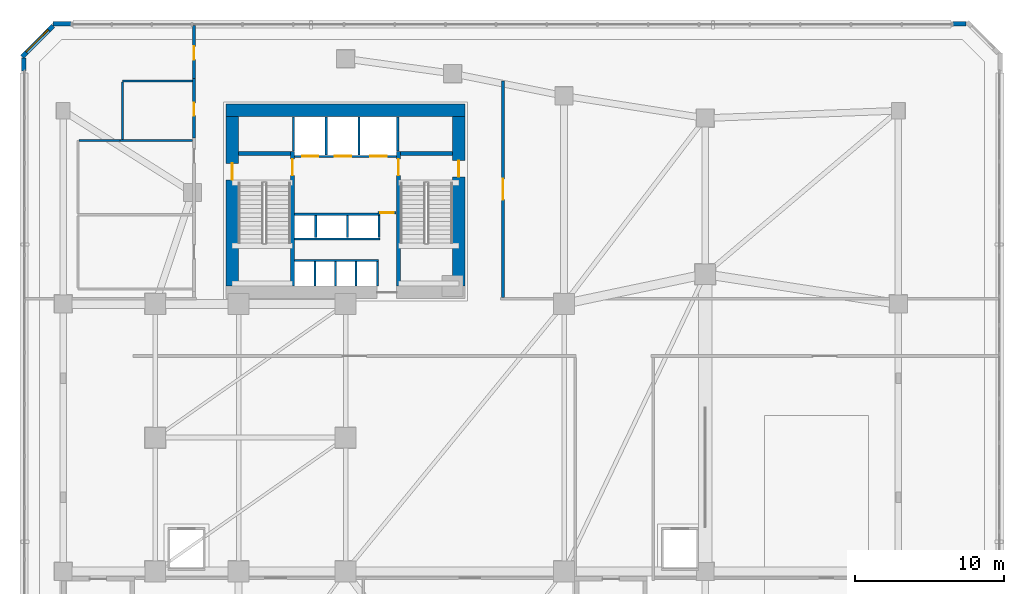
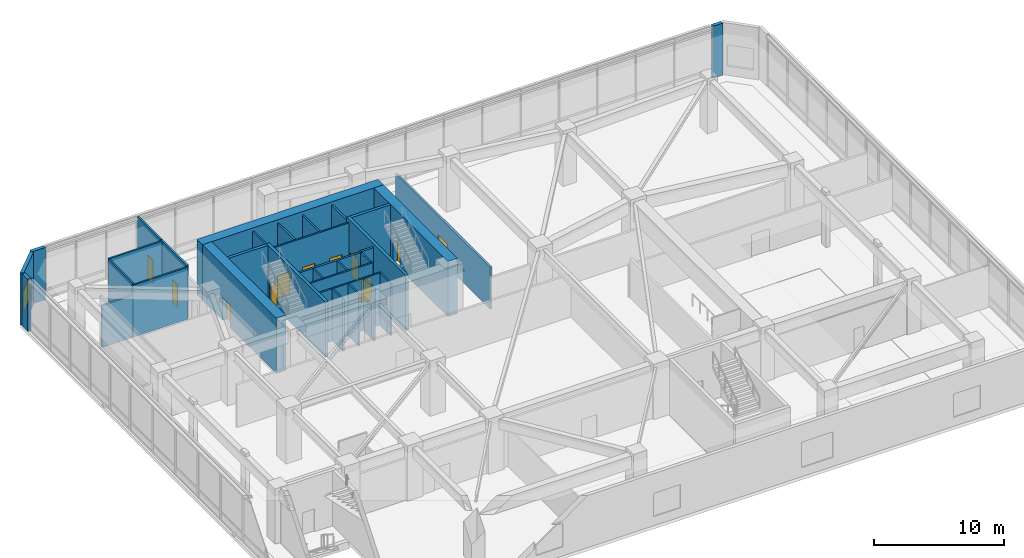
# One storey, part 11 of 18: 34 walls, 11 doors, 1 window, 12 openings.
"""IFC4 building model written with IfcOpenShell, lengths in metres."""

from ifc_helpers import new_model, si_unit, direction, frame, frame_2d, origin, place, context, subcontext, project, spatial, rectangle, extrude, source, transform, mapped, material, layer, layer_set, type_object, element, fill, save


model = new_model("IFC4")

# Units and contexts
model_context = context("Model", 3, precision=1e-05, world=origin(), true_north=direction((0.0, 1.0)))
body_context = subcontext(model_context, "Body", "Model", "MODEL_VIEW")
ifc_project = project(units=[si_unit("LENGTHUNIT", "METRE"), si_unit("AREAUNIT", "SQUARE_METRE"), si_unit("VOLUMEUNIT", "CUBIC_METRE"), si_unit("PLANEANGLEUNIT", "RADIAN"), si_unit("MASSUNIT", "GRAM", prefix="KILO")], contexts=[model_context])

# Site, building, storey
site_placement = place(None, origin())
site = spatial("IfcSite", under=ifc_project, at=site_placement, CompositionType="ELEMENT")
building_placement = place(site_placement, origin())
building = spatial("IfcBuilding", under=site, at=building_placement, Name="Calvemar Wedge Station Tower", CompositionType="ELEMENT")
storey_placement = place(building_placement, frame((0.0, 0.0, 11.199951171875)))
storey = spatial("IfcBuildingStorey", under=building, at=storey_placement, Name="L03", CompositionType="ELEMENT", Elevation=11.199951171875)

# Wall, opening, door
ifc_material_1 = material(Name="Concrete C50", Category="concrete")
ifc_layer_1 = layer(ifc_material_1, 0.260009765625)
ifc_layer_set_1 = layer_set([ifc_layer_1], Name="Concrete C50")
wall_type_1 = type_object("IfcWallType", Name="SW-CORE-260", PredefinedType="SHEAR", material=ifc_layer_set_1)
wall_1_placement = place(storey_placement, frame((20.22998046875, 34.199951171875, 0.0), z_axis=(0.0, 0.0, 1.0), x_axis=(0.0, 1.0, 0.0)))
wall_1 = element("IfcWall", 1, at=wall_1_placement, inside=storey, type_object=wall_type_1, Name="Storey L03 Core Shear Wall SPINE-W", PredefinedType="SHEAR", context=body_context, shape_type="SweptSolid", body=[
    extrude(rectangle(XDim=9.06005859375, YDim=0.260009765625, at=frame_2d((4.530029296875, 0.0))), origin(), (0.0, 0.0, 1.0), 5.199951171875),
])
shared_shape_1 = source(origin(), body_context, "Body", "SweptSolid", [
    extrude(rectangle(XDim=1.10009765625, YDim=2.14990234375, at=frame_2d((0.550048828125, 1.074951171875))), frame((0.0, 0.14013671875, 0.0), z_axis=(0.0, -1.0, 0.0), x_axis=(1.0, 0.0, 0.0)), (0.0, 0.0, 1.0), 0.280029296875),
])
opening_1_placement = place(wall_1_placement, frame((7.449951171875, 0.0, 0.0)))
opening_1 = element("IfcOpeningElement", 2, at=opening_1_placement, cuts=wall_1, Name="Opening FD-90", PredefinedType="OPENING", context=body_context, shape_type="MappedRepresentation", body=[
    mapped(shared_shape_1, transform((0.0, 0.0, 0.0), scale=1.0)),
])
ifc_material_2 = material(Name="Galvanized fire-rated steel door leaf P-90", Category="steel")
door_type_1 = type_object("IfcDoorType", Name="DR-FD90-1100", OperationType="NOTDEFINED", PredefinedType="DOOR", material=ifc_material_2)
shared_shape_2 = source(origin(), body_context, "Body", "SweptSolid", [
    extrude(rectangle(XDim=1.10009765625, YDim=2.14990234375, at=frame_2d((0.550048828125, 1.074951171875))), frame((0.0, 0.02490234375, 0.0), z_axis=(0.0, -1.0, 0.0), x_axis=(1.0, 0.0, 0.0)), (0.0, 0.0, 1.0), 0.050048828125),
])
door_1_placement = place(opening_1_placement, origin())
door_1 = element("IfcDoor", 3, at=door_1_placement, inside=storey, type_object=door_type_1, Name="L03 FF Lobby to Stair ST-C1 Door", OperationType="SINGLE_SWING_LEFT", OverallHeight=2.14990234375, OverallWidth=1.10009765625, PredefinedType="DOOR", context=body_context, shape_type="MappedRepresentation", body=[
    mapped(shared_shape_2, transform((0.0, 0.0, 0.0), scale=1.0)),
])
fill(opening_1, door_1)

wall_2_placement = place(storey_placement, frame((27.3701171875, 34.199951171875, 0.0), z_axis=(0.0, 0.0, 1.0), x_axis=(0.0, 1.0, 0.0)))
wall_2 = element("IfcWall", 4, at=wall_2_placement, inside=storey, type_object=wall_type_1, Name="Storey L03 Core Shear Wall SPINE-E", PredefinedType="SHEAR", context=body_context, shape_type="SweptSolid", body=[
    extrude(rectangle(XDim=9.06005859375, YDim=0.260009765625, at=frame_2d((4.530029296875, 0.0))), origin(), (0.0, 0.0, 1.0), 5.199951171875),
])
opening_2_placement = place(wall_2_placement, frame((7.449951171875, 0.0, 0.0)))
opening_2 = element("IfcOpeningElement", 5, at=opening_2_placement, cuts=wall_2, Name="Opening FD-90", PredefinedType="OPENING", context=body_context, shape_type="MappedRepresentation", body=[
    mapped(shared_shape_1, transform((0.0, 0.0, 0.0), scale=1.0)),
])
door_2_placement = place(opening_2_placement, origin())
door_2 = element("IfcDoor", 6, at=door_2_placement, inside=storey, type_object=door_type_1, Name="L03 FF Lobby to Stair ST-C2 Door", OperationType="SINGLE_SWING_RIGHT", OverallHeight=2.14990234375, OverallWidth=1.10009765625, PredefinedType="DOOR", context=body_context, shape_type="MappedRepresentation", body=[
    mapped(shared_shape_2, transform((0.0, 0.0, 0.0), scale=1.0)),
])
fill(opening_2, door_2)

# Walls
for number, where, z_axis, x_axis, name in (
    (7, (16.60009765625, 43.1298828125, 0.0), (0.0, 0.0, 1.0), (1.0, 0.0, 0.0), "Storey L03 Core Shear Wall STC1-N"),
    (8, (27.5, 43.1298828125, 0.0), (0.0, 0.0, 1.0), (1.0, 0.0, 0.0), "Storey L03 Core Shear Wall STC2-N"),
):
    element("IfcWall", number, at=place(storey_placement, frame(where, z_axis=z_axis, x_axis=x_axis)), inside=storey, type_object=wall_type_1, Name=name, PredefinedType="SHEAR", context=body_context, shape_type="SweptSolid", body=[
        extrude(rectangle(XDim=3.5, YDim=0.260009765625, at=frame_2d((1.75, 0.0))), origin(), (0.0, 0.0, 1.0), 5.199951171875),
    ])
ifc_material_3 = material(Name="Concrete C80", Category="concrete")
ifc_layer_2 = layer(ifc_material_3, 0.85009765625)
ifc_layer_set_2 = layer_set([ifc_layer_2], Name="Concrete C80")
wall_type_2 = type_object("IfcWallType", Name="SW-CORE-850", PredefinedType="SHEAR", material=ifc_layer_set_2)
wall_3_placement = place(storey_placement, frame((15.75, 46.02490234375, 0.0), z_axis=(0.0, 0.0, 1.0), x_axis=(1.0, 0.0, 0.0)))
element("IfcWall", 9, at=wall_3_placement, inside=storey, type_object=wall_type_2, Name="Storey L03 Core Shear Wall N", PredefinedType="SHEAR", context=body_context, shape_type="SweptSolid", body=[
    extrude(rectangle(XDim=16.10009765625, YDim=0.85009765625, at=frame_2d((8.050048828125, 0.0))), origin(), (0.0, 0.0, 1.0), 5.199951171875),
])

# Wall, opening, door
wall_4_placement = place(storey_placement, frame((16.175048828125, 34.199951171875, 0.0), z_axis=(0.0, 0.0, 1.0), x_axis=(0.0, 1.0, 0.0)))
wall_4 = element("IfcWall", 10, at=wall_4_placement, inside=storey, type_object=wall_type_2, Name="Storey L03 Core Shear Wall W", PredefinedType="SHEAR", context=body_context, shape_type="SweptSolid", body=[
    extrude(rectangle(XDim=11.400146484375, YDim=0.85009765625, at=frame_2d((5.7001953125, 0.0))), origin(), (0.0, 0.0, 1.0), 5.199951171875),
])
shared_shape_3 = source(origin(), body_context, "Body", "SweptSolid", [
    extrude(rectangle(XDim=1.10009765625, YDim=2.14990234375, at=frame_2d((0.550048828125, 1.074951171875))), frame((0.0, 0.43505859375, 0.0), z_axis=(0.0, -1.0, 0.0), x_axis=(1.0, 0.0, 0.0)), (0.0, 0.0, 1.0), 0.8701171875),
])
opening_3_placement = place(wall_4_placement, frame((7.14990234375, 0.0, 0.0)))
opening_3 = element("IfcOpeningElement", 11, at=opening_3_placement, cuts=wall_4, Name="Opening FD-90", PredefinedType="OPENING", context=body_context, shape_type="MappedRepresentation", body=[
    mapped(shared_shape_3, transform((0.0, 0.0, 0.0), scale=1.0)),
])
door_3_placement = place(opening_3_placement, origin())
door_3 = element("IfcDoor", 12, at=door_3_placement, inside=storey, type_object=door_type_1, Name="L03 West Corridor to Exit Stair ST-C1 Door", OperationType="SINGLE_SWING_LEFT", OverallHeight=2.14990234375, OverallWidth=1.10009765625, PredefinedType="DOOR", context=body_context, shape_type="MappedRepresentation", body=[
    mapped(shared_shape_2, transform((0.0, 0.0, 0.0), scale=1.0)),
])
fill(opening_3, door_3)

wall_5_placement = place(storey_placement, frame((31.425048828125, 34.199951171875, 0.0), z_axis=(0.0, 0.0, 1.0), x_axis=(0.0, 1.0, 0.0)))
wall_5 = element("IfcWall", 13, at=wall_5_placement, inside=storey, type_object=wall_type_2, Name="Storey L03 Core Shear Wall E", PredefinedType="SHEAR", context=body_context, shape_type="SweptSolid", body=[
    extrude(rectangle(XDim=11.400146484375, YDim=0.85009765625, at=frame_2d((5.7001953125, 0.0))), origin(), (0.0, 0.0, 1.0), 5.199951171875),
])
opening_4_placement = place(wall_5_placement, frame((7.35009765625, 0.0, 0.0)))
opening_4 = element("IfcOpeningElement", 14, at=opening_4_placement, cuts=wall_5, Name="Opening FD-90", PredefinedType="OPENING", context=body_context, shape_type="MappedRepresentation", body=[
    mapped(shared_shape_3, transform((0.0, 0.0, 0.0), scale=1.0)),
])
door_4_placement = place(opening_4_placement, origin())
door_4 = element("IfcDoor", 15, at=door_4_placement, inside=storey, type_object=door_type_1, Name="L03 East Corridor to Exit Stair ST-C2 Door", OperationType="SINGLE_SWING_RIGHT", OverallHeight=2.14990234375, OverallWidth=1.10009765625, PredefinedType="DOOR", context=body_context, shape_type="MappedRepresentation", body=[
    mapped(shared_shape_2, transform((0.0, 0.0, 0.0), scale=1.0)),
])
fill(opening_4, door_4)

ifc_material_4 = material(Name="Double-stud fire-rated corridor partition")
ifc_layer_3 = layer(ifc_material_4, 0.179931640625)
ifc_layer_set_3 = layer_set([ifc_layer_3], Name="Double-stud fire-rated corridor partition")
wall_type_3 = type_object("IfcWallType", Name="W-CORR-180", PredefinedType="PARTITIONING", material=ifc_layer_set_3)
wall_6_placement = place(storey_placement, frame((27.199951171875, 39.1298828125, 0.0), z_axis=(0.0, 0.0, 1.0), x_axis=(-1.0, 0.0, 0.0)))
wall_6 = element("IfcWall", 16, at=wall_6_placement, inside=storey, type_object=wall_type_3, Name="Storey L03 Interior Partition WL-L03-001", PredefinedType="PARTITIONING", context=body_context, shape_type="SweptSolid", body=[
    extrude(rectangle(XDim=1.2099609375, YDim=0.179931640625, at=frame_2d((0.60498046875, 0.0))), origin(), (0.0, 0.0, 1.0), 4.900146484375),
])
shared_shape_4 = source(origin(), body_context, "Body", "SweptSolid", [
    extrude(rectangle(XDim=0.89990234375, YDim=2.14990234375, at=frame_2d((0.449951171875, 1.074951171875))), frame((0.0, 0.10009765625, 0.0), z_axis=(0.0, -1.0, 0.0), x_axis=(1.0, 0.0, 0.0)), (0.0, 0.0, 1.0), 0.199951171875),
])
opening_5_placement = place(wall_6_placement, frame((0.155029296875, 0.0, 0.0)))
opening_5 = element("IfcOpeningElement", 17, at=opening_5_placement, cuts=wall_6, Name="Opening FD-60", PredefinedType="OPENING", context=body_context, shape_type="MappedRepresentation", body=[
    mapped(shared_shape_4, transform((0.0, 0.0, 0.0), scale=1.0)),
])
ifc_material_5 = material(Name="Fire-rated acoustic timber-core entrance door EI 60", Category="wood")
door_type_2 = type_object("IfcDoorType", Name="DR-FD60-900", OperationType="NOTDEFINED", PredefinedType="DOOR", material=ifc_material_5)
shared_shape_5 = source(origin(), body_context, "Body", "SweptSolid", [
    extrude(rectangle(XDim=0.89990234375, YDim=2.14990234375, at=frame_2d((0.449951171875, 1.074951171875))), frame((0.0, 0.02490234375, 0.0), z_axis=(0.0, -1.0, 0.0), x_axis=(1.0, 0.0, 0.0)), (0.0, 0.0, 1.0), 0.050048828125),
])
door_5_placement = place(opening_5_placement, origin())
door_5 = element("IfcDoor", 18, at=door_5_placement, inside=storey, type_object=door_type_2, Name="L03 Core Service Lobby Door", OperationType="SINGLE_SWING_LEFT", OverallHeight=2.14990234375, OverallWidth=0.89990234375, PredefinedType="DOOR", context=body_context, shape_type="MappedRepresentation", body=[
    mapped(shared_shape_5, transform((0.0, 0.0, 0.0), scale=1.0)),
])
fill(opening_5, door_5)

wall_7_placement = place(storey_placement, frame((13.60009765625, 44.162109375, 0.0), z_axis=(0.0, 0.0, 1.0), x_axis=(0.0, 1.0, 0.0)))
wall_7 = element("IfcWall", 19, at=wall_7_placement, inside=storey, type_object=wall_type_3, Name="Storey L03 Interior Partition WL-L03-010", PredefinedType="PARTITIONING", context=body_context, shape_type="SweptSolid", body=[
    extrude(rectangle(XDim=3.997802734375, YDim=0.179931640625, at=frame_2d((1.9990234375, 0.0))), origin(), (0.0, 0.0, 1.0), 4.900146484375),
])
shared_shape_6 = source(origin(), body_context, "Body", "SweptSolid", [
    extrude(rectangle(XDim=0.85009765625, YDim=2.14990234375, at=frame_2d((0.425048828125, 1.074951171875))), frame((0.0, 0.10009765625, 0.0), z_axis=(0.0, -1.0, 0.0), x_axis=(1.0, 0.0, 0.0)), (0.0, 0.0, 1.0), 0.199951171875),
])
opening_6_placement = place(wall_7_placement, frame((1.512451171875, 0.0, 0.0)))
opening_6 = element("IfcOpeningElement", 20, at=opening_6_placement, cuts=wall_7, Name="Opening D-02", PredefinedType="OPENING", context=body_context, shape_type="MappedRepresentation", body=[
    mapped(shared_shape_6, transform((0.0, 0.0, 0.0), scale=1.0)),
])
ifc_material_6 = material(Name="Moisture-sealed bathroom hardwood swing door", Category="wood")
door_type_3 = type_object("IfcDoorType", Name="DR-WET-850", OperationType="NOTDEFINED", PredefinedType="DOOR", material=ifc_material_6)
shared_shape_7 = source(origin(), body_context, "Body", "SweptSolid", [
    extrude(rectangle(XDim=0.85009765625, YDim=2.14990234375, at=frame_2d((0.425048828125, 1.074951171875))), frame((0.0, 0.02490234375, 0.0), z_axis=(0.0, -1.0, 0.0), x_axis=(1.0, 0.0, 0.0)), (0.0, 0.0, 1.0), 0.050048828125),
])
door_6_placement = place(opening_6_placement, origin())
door_6 = element("IfcDoor", 21, at=door_6_placement, inside=storey, type_object=door_type_3, Name="L03 Accessible WC Door", OperationType="SINGLE_SWING_RIGHT", OverallHeight=2.14990234375, OverallWidth=0.85009765625, PredefinedType="DOOR", context=body_context, shape_type="MappedRepresentation", body=[
    mapped(shared_shape_7, transform((0.0, 0.0, 0.0), scale=1.0)),
])
fill(opening_6, door_6)

wall_8_placement = place(storey_placement, frame((13.60009765625, 48.162109375, 0.0), z_axis=(0.0, 0.0, 1.0), x_axis=(0.0, 1.0, 0.0)))
wall_8 = element("IfcWall", 22, at=wall_8_placement, inside=storey, type_object=wall_type_3, Name="Storey L03 Interior Partition WL-L03-011", PredefinedType="PARTITIONING", context=body_context, shape_type="SweptSolid", body=[
    extrude(rectangle(XDim=3.572998046875, YDim=0.179931640625, at=frame_2d((1.78662109375, 0.0))), origin(), (0.0, 0.0, 1.0), 4.900146484375),
])
opening_7_placement = place(wall_8_placement, frame((1.2744140625, 0.0, 0.0)))
opening_7 = element("IfcOpeningElement", 23, at=opening_7_placement, cuts=wall_8, Name="Opening FD-60", PredefinedType="OPENING", context=body_context, shape_type="MappedRepresentation", body=[
    mapped(shared_shape_4, transform((0.0, 0.0, 0.0), scale=1.0)),
])
door_7_placement = place(opening_7_placement, origin())
door_7 = element("IfcDoor", 24, at=door_7_placement, inside=storey, type_object=door_type_2, Name="L03 L03 Podium Storage Room Door", OperationType="SINGLE_SWING_LEFT", OverallHeight=2.14990234375, OverallWidth=0.89990234375, PredefinedType="DOOR", context=body_context, shape_type="MappedRepresentation", body=[
    mapped(shared_shape_5, transform((0.0, 0.0, 0.0), scale=1.0)),
])
fill(opening_7, door_7)

wall_9_placement = place(storey_placement, frame((34.39990234375, 48.0, 0.0), z_axis=(0.0, 0.0, 1.0), x_axis=(0.0, -1.0, 0.0)))
wall_9 = element("IfcWall", 25, at=wall_9_placement, inside=storey, type_object=wall_type_3, Name="Storey L03 Interior Partition WL-L03-013", PredefinedType="PARTITIONING", context=body_context, shape_type="SweptSolid", body=[
    extrude(rectangle(XDim=14.555908203125, YDim=0.179931640625, at=frame_2d((7.27783203125, 0.0))), origin(), (0.0, 0.0, 1.0), 3.942138671875),
])
shared_shape_8 = source(origin(), body_context, "Body", "SweptSolid", [
    extrude(rectangle(XDim=1.39990234375, YDim=2.14990234375, at=frame_2d((0.699951171875, 1.074951171875))), frame((0.0, 0.10009765625, 0.0), z_axis=(0.0, -1.0, 0.0), x_axis=(1.0, 0.0, 0.0)), (0.0, 0.0, 1.0), 0.199951171875),
])
opening_8_placement = place(wall_9_placement, frame((6.577880859375, 0.0, 0.0)))
opening_8 = element("IfcOpeningElement", 26, at=opening_8_placement, cuts=wall_9, Name="Opening DD-140", PredefinedType="OPENING", context=body_context, shape_type="MappedRepresentation", body=[
    mapped(shared_shape_8, transform((0.0, 0.0, 0.0), scale=1.0)),
])
ifc_material_7 = material(Name="Double-leaf corridor acoustic fire door EI 60")
door_type_4 = type_object("IfcDoorType", Name="DR-DBL-1400", OperationType="DOUBLE_DOOR_SINGLE_SWING", PredefinedType="DOOR", material=ifc_material_7)
shared_shape_9 = source(origin(), body_context, "Body", "SweptSolid", [
    extrude(rectangle(XDim=1.39990234375, YDim=2.14990234375, at=frame_2d((0.699951171875, 1.074951171875))), frame((0.0, 0.02490234375, 0.0), z_axis=(0.0, -1.0, 0.0), x_axis=(1.0, 0.0, 0.0)), (0.0, 0.0, 1.0), 0.050048828125),
])
door_8_placement = place(opening_8_placement, origin())
door_8 = element("IfcDoor", 27, at=door_8_placement, inside=storey, type_object=door_type_4, Name="L03 Pre-Function Banquet Gallery Door", OperationType="SINGLE_SWING_LEFT", OverallHeight=2.14990234375, OverallWidth=1.39990234375, PredefinedType="DOOR", context=body_context, shape_type="MappedRepresentation", body=[
    mapped(shared_shape_9, transform((0.0, 0.0, 0.0), scale=1.0)),
])
fill(opening_8, door_8)

# Walls
ifc_material_8 = material(Name="Precast concrete C45", Category="concrete")
ifc_layer_4 = layer(ifc_material_8, 0.300048828125)
ifc_layer_set_4 = layer_set([ifc_layer_4], Name="Precast concrete C45")
wall_type_4 = type_object("IfcWallType", Name="W-EXT-GFRC-300", PredefinedType="SOLIDWALL", material=ifc_layer_set_4)
wall_10_placement = place(storey_placement, frame((65.542724609375, 51.85009765625, 0.0), z_axis=(0.0, 0.0, 1.0), x_axis=(-1.0, 0.0, 0.0)))
element("IfcWall", 28, at=wall_10_placement, inside=storey, type_object=wall_type_4, Name="Storey L03 Bronze GFRC Corner Pier 4A", PredefinedType="SOLIDWALL", context=body_context, shape_type="SweptSolid", body=[
    extrude(rectangle(XDim=0.87744140625, YDim=0.300048828125, at=frame_2d((0.438720703125, 0.0))), origin(), (0.0, 0.0, 1.0), 4.900146484375),
])
wall_11_placement = place(storey_placement, frame((5.334716796875, 51.85009765625, 0.0), z_axis=(0.0, 0.0, 1.0), x_axis=(-1.0, 0.0, 0.0)))
element("IfcWall", 29, at=wall_11_placement, inside=storey, type_object=wall_type_4, Name="Storey L03 Bronze GFRC Corner Pier 4B", PredefinedType="SOLIDWALL", context=body_context, shape_type="SweptSolid", body=[
    extrude(rectangle(XDim=1.22265625, YDim=0.300048828125, at=frame_2d((0.611328125, 0.0))), origin(), (0.0, 0.0, 1.0), 4.900146484375),
])

# Wall, opening, window
wall_12_placement = place(storey_placement, frame((4.1240234375, 51.7119140625, 0.0), z_axis=(0.0, 0.0, 1.0), x_axis=(-0.707106781187, -0.707106781187, 0.0)))
wall_12 = element("IfcWall", 30, at=wall_12_placement, inside=storey, type_object=wall_type_4, Name="Storey L03 Bronze GFRC Exterior Wall 5", PredefinedType="SOLIDWALL", context=body_context, shape_type="SweptSolid", body=[
    extrude(rectangle(XDim=2.941650390625, YDim=0.300048828125, at=frame_2d((1.470703125, 0.0))), origin(), (0.0, 0.0, 1.0), 4.900146484375),
])
shared_shape_10 = source(origin(), body_context, "Body", "SweptSolid", [
    extrude(rectangle(XDim=2.10009765625, YDim=2.0, at=frame_2d((1.050048828125, 1.0))), frame((0.0, 0.16015625, 0.0), z_axis=(0.0, -1.0, 0.0), x_axis=(1.0, 0.0, 0.0)), (0.0, 0.0, 1.0), 0.320068359375),
])
opening_9_placement = place(wall_12_placement, frame((0.4208984375, 0.0, 0.85009765625)))
opening_9 = element("IfcOpeningElement", 31, at=opening_9_placement, cuts=wall_12, Name="Opening W4", PredefinedType="OPENING", context=body_context, shape_type="MappedRepresentation", body=[
    mapped(shared_shape_10, transform((0.0, 0.0, 0.0), scale=1.0)),
])
ifc_material_9 = material(Name="Low-E laminated insulated glass", Category="glass")
window_type = type_object("IfcWindowType", Name="WIN-EXT-4", PartitioningType="SINGLE_PANEL", PredefinedType="WINDOW", material=ifc_material_9)
shared_shape_11 = source(origin(), body_context, "Body", "SweptSolid", [
    extrude(rectangle(XDim=2.10009765625, YDim=2.0, at=frame_2d((1.050048828125, 1.0))), frame((0.0, -0.014892578125, 0.0), z_axis=(0.0, -1.0, 0.0), x_axis=(1.0, 0.0, 0.0)), (0.0, 0.0, 1.0), 0.06005859375),
])
window_placement = place(opening_9_placement, origin())
window = element("IfcWindow", 32, at=window_placement, inside=storey, type_object=window_type, Name="Storey L03 Recessed Window 5.1", OverallHeight=2.0, OverallWidth=2.10009765625, PartitioningType="SINGLE_PANEL", PredefinedType="WINDOW", context=body_context, shape_type="MappedRepresentation", body=[
    mapped(shared_shape_11, transform((0.0, 0.0, 0.0), scale=1.0)),
])
fill(opening_9, window)

# Wall
wall_13_placement = place(storey_placement, frame((2.14990234375, 49.542724609375, 0.0), z_axis=(0.0, 0.0, 1.0), x_axis=(0.0, -1.0, 0.0)))
element("IfcWall", 33, at=wall_13_placement, inside=storey, type_object=wall_type_4, Name="Storey L03 Bronze GFRC Corner Pier 6A", PredefinedType="SOLIDWALL", context=body_context, shape_type="SweptSolid", body=[
    extrude(rectangle(XDim=0.87744140625, YDim=0.300048828125, at=frame_2d((0.438720703125, 0.0))), origin(), (0.0, 0.0, 1.0), 4.900146484375),
])

# Wall, openings, doors
ifc_material_10 = material(Name="Reinforced concrete blockwork lift shaft wall", Category="masonry")
ifc_layer_5 = layer(ifc_material_10, 0.139892578125)
ifc_layer_set_5 = layer_set([ifc_layer_5], Name="Reinforced concrete blockwork lift shaft wall")
wall_type_5 = type_object("IfcWallType", Name="W-LIFT-160", PredefinedType="SOLIDWALL", material=ifc_layer_set_5)
wall_14_placement = place(storey_placement, frame((20.3701171875, 42.929931640625, 0.0), z_axis=(0.0, 0.0, 1.0), x_axis=(1.0, 0.0, 0.0)))
wall_14 = element("IfcWall", 34, at=wall_14_placement, inside=storey, type_object=wall_type_5, Name="Storey L03 Firefighting and Service Lift Shaft Front Wall", PredefinedType="SOLIDWALL", context=body_context, shape_type="SweptSolid", body=[
    extrude(rectangle(XDim=6.85986328125, YDim=0.139892578125, at=frame_2d((3.429931640625, 0.0))), origin(), (0.0, 0.0, 1.0), 4.900146484375),
])
shared_shape_12 = source(origin(), body_context, "Body", "SweptSolid", [
    extrude(rectangle(XDim=1.10009765625, YDim=2.14990234375, at=frame_2d((0.550048828125, 1.074951171875))), frame((0.0, 0.080078125, 0.0), z_axis=(0.0, -1.0, 0.0), x_axis=(1.0, 0.0, 0.0)), (0.0, 0.0, 1.0), 0.159912109375),
])
opening_10_placement = place(wall_14_placement, frame((0.5, 0.0, 0.0)))
opening_10 = element("IfcOpeningElement", 35, at=opening_10_placement, cuts=wall_14, Name="Opening LD-FF", PredefinedType="OPENING", context=body_context, shape_type="MappedRepresentation", body=[
    mapped(shared_shape_12, transform((0.0, 0.0, 0.0), scale=1.0)),
])
opening_11_placement = place(wall_14_placement, frame((2.699951171875, 0.0, 0.0)))
opening_11 = element("IfcOpeningElement", 36, at=opening_11_placement, cuts=wall_14, Name="Opening LD-FF", PredefinedType="OPENING", context=body_context, shape_type="MappedRepresentation", body=[
    mapped(shared_shape_12, transform((0.0, 0.0, 0.0), scale=1.0)),
])
opening_12_placement = place(wall_14_placement, frame((5.10009765625, 0.0, 0.0)))
opening_12 = element("IfcOpeningElement", 37, at=opening_12_placement, cuts=wall_14, Name="Opening LD-STN", PredefinedType="OPENING", context=body_context, shape_type="MappedRepresentation", body=[
    mapped(shared_shape_12, transform((0.0, 0.0, 0.0), scale=1.0)),
])
ifc_material_11 = material(Name="Stainless steel firefighting lift sliding landing door", Category="steel")
door_type_5 = type_object("IfcDoorType", Name="DR-LD-FF-1100", OperationType="SLIDING_TO_LEFT", PredefinedType="DOOR", material=ifc_material_11)
shared_shape_13 = source(origin(), body_context, "Body", "SweptSolid", [
    extrude(rectangle(XDim=1.10009765625, YDim=2.14990234375, at=frame_2d((0.550048828125, 1.074951171875))), frame((0.0, 0.02490234375, 0.0), z_axis=(0.0, -1.0, 0.0), x_axis=(1.0, 0.0, 0.0)), (0.0, 0.0, 1.0), 0.050048828125),
])
door_9_placement = place(opening_10_placement, origin())
door_9 = element("IfcDoor", 38, at=door_9_placement, inside=storey, type_object=door_type_5, Name="L03 Lift FF-01 Sliding Landing Door", OperationType="SLIDING_TO_LEFT", OverallHeight=2.14990234375, OverallWidth=1.10009765625, PredefinedType="DOOR", context=body_context, shape_type="MappedRepresentation", body=[
    mapped(shared_shape_13, transform((0.0, 0.0, 0.0), scale=1.0)),
])
fill(opening_10, door_9)
door_10_placement = place(opening_11_placement, origin())
door_10 = element("IfcDoor", 39, at=door_10_placement, inside=storey, type_object=door_type_5, Name="L03 Lift FF-02 Sliding Landing Door", OperationType="SLIDING_TO_RIGHT", OverallHeight=2.14990234375, OverallWidth=1.10009765625, PredefinedType="DOOR", context=body_context, shape_type="MappedRepresentation", body=[
    mapped(shared_shape_13, transform((0.0, 0.0, 0.0), scale=1.0)),
])
fill(opening_11, door_10)
ifc_material_12 = material(Name="Stainless steel transit lift sliding landing door", Category="steel")
door_type_6 = type_object("IfcDoorType", Name="DR-LD-PAX-1100", OperationType="SLIDING_TO_LEFT", PredefinedType="DOOR", material=ifc_material_12)
shared_shape_14 = source(origin(), body_context, "Body", "SweptSolid", [
    extrude(rectangle(XDim=1.10009765625, YDim=2.14990234375, at=frame_2d((0.550048828125, 1.074951171875))), frame((0.0, 0.02490234375, 0.0), z_axis=(0.0, -1.0, 0.0), x_axis=(1.0, 0.0, 0.0)), (0.0, 0.0, 1.0), 0.050048828125),
])
door_11_placement = place(opening_12_placement, origin())
door_11 = element("IfcDoor", 40, at=door_11_placement, inside=storey, type_object=door_type_6, Name="L03 Lift SV-01 Sliding Landing Door", OperationType="SLIDING_TO_LEFT", OverallHeight=2.14990234375, OverallWidth=1.10009765625, PredefinedType="DOOR", context=body_context, shape_type="MappedRepresentation", body=[
    mapped(shared_shape_14, transform((0.0, 0.0, 0.0), scale=1.0)),
])
fill(opening_12, door_11)

# Walls
for number, where, z_axis, x_axis, name in (
    (41, (20.2900390625, 43.280029296875, 0.0), (0.0, 0.0, 1.0), (0.0, 1.0, 0.0), "Storey L03 Firefighting Lift Shaft Enclosure Wall W"),
    (42, (27.31005859375, 43.280029296875, 0.0), (0.0, 0.0, 1.0), (0.0, 1.0, 0.0), "Storey L03 Firefighting Lift Shaft Enclosure Wall E"),
):
    element("IfcWall", number, at=place(storey_placement, frame(where, z_axis=z_axis, x_axis=x_axis)), inside=storey, type_object=wall_type_5, Name=name, PredefinedType="SOLIDWALL", context=body_context, shape_type="SweptSolid", body=[
        extrude(rectangle(XDim=2.300048828125, YDim=0.139892578125, at=frame_2d((1.14990234375, 0.0))), origin(), (0.0, 0.0, 1.0), 4.900146484375),
    ])
for number, where, z_axis, x_axis, name in (
    (43, (22.5, 43.02001953125, 0.0), (0.0, 0.0, 1.0), (0.0, 1.0, 0.0), "Storey L03 Firefighting Lift Shaft Enclosure Wall D1"),
    (44, (24.699951171875, 43.02001953125, 0.0), (0.0, 0.0, 1.0), (0.0, 1.0, 0.0), "Storey L03 Firefighting Lift Shaft Enclosure Wall D2"),
):
    element("IfcWall", number, at=place(storey_placement, frame(where, z_axis=z_axis, x_axis=x_axis)), inside=storey, type_object=wall_type_5, Name=name, PredefinedType="SOLIDWALL", context=body_context, shape_type="SweptSolid", body=[
        extrude(rectangle(XDim=2.56005859375, YDim=0.139892578125, at=frame_2d((1.280029296875, 0.0))), origin(), (0.0, 0.0, 1.0), 4.900146484375),
    ])
wall_15_placement = place(storey_placement, frame((20.3798828125, 35.919921875, 0.0), z_axis=(0.0, 0.0, 1.0), x_axis=(1.0, 0.0, 0.0)))
element("IfcWall", 45, at=wall_15_placement, inside=storey, type_object=wall_type_5, Name="Storey L03 South Passenger Lift Bank Front Wall", PredefinedType="SOLIDWALL", context=body_context, shape_type="SweptSolid", body=[
    extrude(rectangle(XDim=5.650146484375, YDim=0.139892578125, at=frame_2d((2.8251953125, 0.0))), origin(), (0.0, 0.0, 1.0), 4.900146484375),
])
for number, where, z_axis, x_axis, name in (
    (46, (25.9599609375, 34.219970703125, 0.0), (0.0, 0.0, 1.0), (0.0, 1.0, 0.0), "Storey L03 South Passenger Lift Shaft Wall E"),
    (47, (21.735107421875, 34.219970703125, 0.0), (0.0, 0.0, 1.0), (0.0, 1.0, 0.0), "Storey L03 South Passenger Lift Shaft Wall D1"),
    (48, (23.125, 34.219970703125, 0.0), (0.0, 0.0, 1.0), (0.0, 1.0, 0.0), "Storey L03 South Passenger Lift Shaft Wall D2"),
    (49, (24.514892578125, 34.219970703125, 0.0), (0.0, 0.0, 1.0), (0.0, 1.0, 0.0), "Storey L03 South Passenger Lift Shaft Wall D3"),
):
    element("IfcWall", number, at=place(storey_placement, frame(where, z_axis=z_axis, x_axis=x_axis)), inside=storey, type_object=wall_type_5, Name=name, PredefinedType="SOLIDWALL", context=body_context, shape_type="SweptSolid", body=[
        extrude(rectangle(XDim=1.6201171875, YDim=0.139892578125, at=frame_2d((0.81005859375, 0.0))), origin(), (0.0, 0.0, 1.0), 4.900146484375),
    ])
wall_16_placement = place(storey_placement, frame((20.3798828125, 37.3798828125, 0.0), z_axis=(0.0, 0.0, 1.0), x_axis=(1.0, 0.0, 0.0)))
element("IfcWall", 50, at=wall_16_placement, inside=storey, type_object=wall_type_5, Name="Storey L03 Upper Passenger Lift Bank Front Wall", PredefinedType="SOLIDWALL", context=body_context, shape_type="SweptSolid", body=[
    extrude(rectangle(XDim=5.75, YDim=0.139892578125, at=frame_2d((2.875, 0.0))), origin(), (0.0, 0.0, 1.0), 4.900146484375),
])
for number, where, z_axis, x_axis, name in (
    (51, (26.06005859375, 37.4599609375, 0.0), (0.0, 0.0, 1.0), (0.0, 1.0, 0.0), "Storey L03 Upper Passenger Lift Shaft Wall E"),
    (52, (21.794921875, 37.4599609375, 0.0), (0.0, 0.0, 1.0), (0.0, 1.0, 0.0), "Storey L03 Upper Passenger Lift Shaft Wall D1"),
    (53, (23.93505859375, 37.4599609375, 0.0), (0.0, 0.0, 1.0), (0.0, 1.0, 0.0), "Storey L03 Upper Passenger Lift Shaft Wall D2"),
):
    element("IfcWall", number, at=place(storey_placement, frame(where, z_axis=z_axis, x_axis=x_axis)), inside=storey, type_object=wall_type_5, Name=name, PredefinedType="SOLIDWALL", context=body_context, shape_type="SweptSolid", body=[
        extrude(rectangle(XDim=1.47998046875, YDim=0.139892578125, at=frame_2d((0.739990234375, 0.0))), origin(), (0.0, 0.0, 1.0), 4.900146484375),
    ])
ifc_material_13 = material(Name="Concrete blockwork and fireboard shaft wall", Category="masonry")
ifc_layer_6 = layer(ifc_material_13, 0.199951171875)
ifc_layer_set_6 = layer_set([ifc_layer_6], Name="Concrete blockwork and fireboard shaft wall")
wall_type_6 = type_object("IfcWallType", Name="W-SHAFT-200", PredefinedType="SOLIDWALL", material=ifc_layer_set_6)
wall_17_placement = place(storey_placement, frame((20.3798828125, 39.0400390625, 0.0), z_axis=(0.0, 0.0, 1.0), x_axis=(1.0, 0.0, 0.0)))
element("IfcWall", 54, at=wall_17_placement, inside=storey, type_object=wall_type_6, Name="Storey L03 Upper Passenger Lift Bank Rear Shaft Wall", PredefinedType="SOLIDWALL", context=body_context, shape_type="SweptSolid", body=[
    extrude(rectangle(XDim=5.75, YDim=0.179931640625, at=frame_2d((2.875, 0.0))), origin(), (0.0, 0.0, 1.0), 4.900146484375),
])
ifc_material_14 = material(Name="Moisture-resistant acoustic bathroom partition")
ifc_layer_7 = layer(ifc_material_14, 0.14990234375)
ifc_layer_set_7 = layer_set([ifc_layer_7], Name="Moisture-resistant acoustic bathroom partition")
wall_type_7 = type_object("IfcWallType", Name="W-WET-150", PredefinedType="PARTITIONING", material=ifc_layer_set_7)
wall_18_placement = place(storey_placement, frame((8.639892578125, 44.0, 0.0), z_axis=(0.0, 0.0, 1.0), x_axis=(1.0, 0.0, 0.0)))
element("IfcWall", 55, at=wall_18_placement, inside=storey, type_object=wall_type_7, Name="Storey L03 Interior Partition WL-L03-017", PredefinedType="PARTITIONING", context=body_context, shape_type="SweptSolid", body=[
    extrude(rectangle(XDim=4.8662109375, YDim=0.14990234375, at=frame_2d((2.43310546875, 0.0))), origin(), (0.0, 0.0, 1.0), 4.900146484375),
])
wall_19_placement = place(storey_placement, frame((5.87890625, 44.0, 0.0), z_axis=(0.0, 0.0, 1.0), x_axis=(1.0, 0.0, 0.0)))
element("IfcWall", 56, at=wall_19_placement, inside=storey, type_object=wall_type_7, Name="Storey L03 Interior Partition WL-L03-019", PredefinedType="PARTITIONING", context=body_context, shape_type="SweptSolid", body=[
    extrude(rectangle(XDim=2.759033203125, YDim=0.14990234375, at=frame_2d((1.37939453125, 0.0))), origin(), (0.0, 0.0, 1.0), 3.942138671875),
])
wall_20_placement = place(storey_placement, frame((8.800048828125, 48.0, 0.0), z_axis=(0.0, 0.0, 1.0), x_axis=(1.0, 0.0, 0.0)))
element("IfcWall", 57, at=wall_20_placement, inside=storey, type_object=wall_type_7, Name="Storey L03 Interior Partition WL-L03-020", PredefinedType="PARTITIONING", context=body_context, shape_type="SweptSolid", body=[
    extrude(rectangle(XDim=4.7060546875, YDim=0.14990234375, at=frame_2d((2.35302734375, 0.0))), origin(), (0.0, 0.0, 1.0), 4.900146484375),
])
wall_21_placement = place(storey_placement, frame((8.800048828125, 44.0791015625, 0.0), z_axis=(0.0, 0.0, 1.0), x_axis=(0.0, 1.0, 0.0)))
element("IfcWall", 58, at=wall_21_placement, inside=storey, type_object=wall_type_7, Name="Storey L03 Interior Partition WL-L03-021", PredefinedType="PARTITIONING", context=body_context, shape_type="SweptSolid", body=[
    extrude(rectangle(XDim=3.841796875, YDim=0.14990234375, at=frame_2d((1.9208984375, 0.0))), origin(), (0.0, 0.0, 1.0), 4.900146484375),
])

save(model, "model.ifc")
